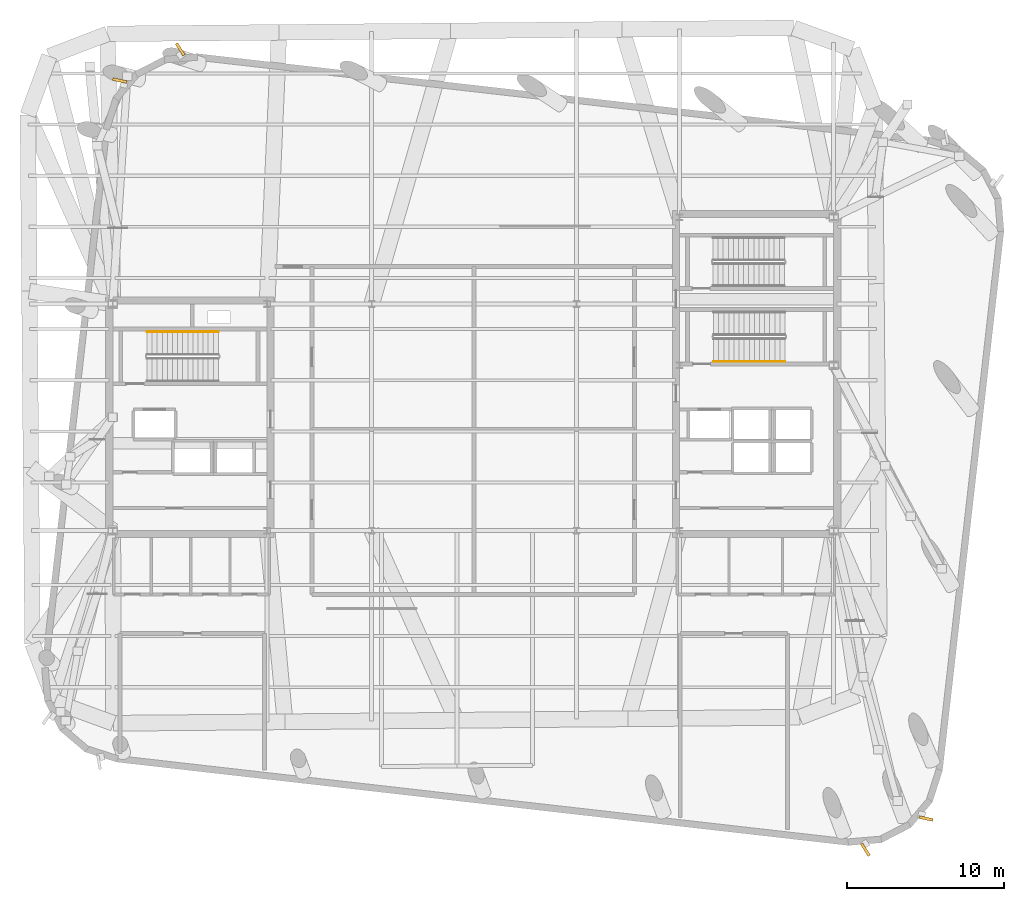
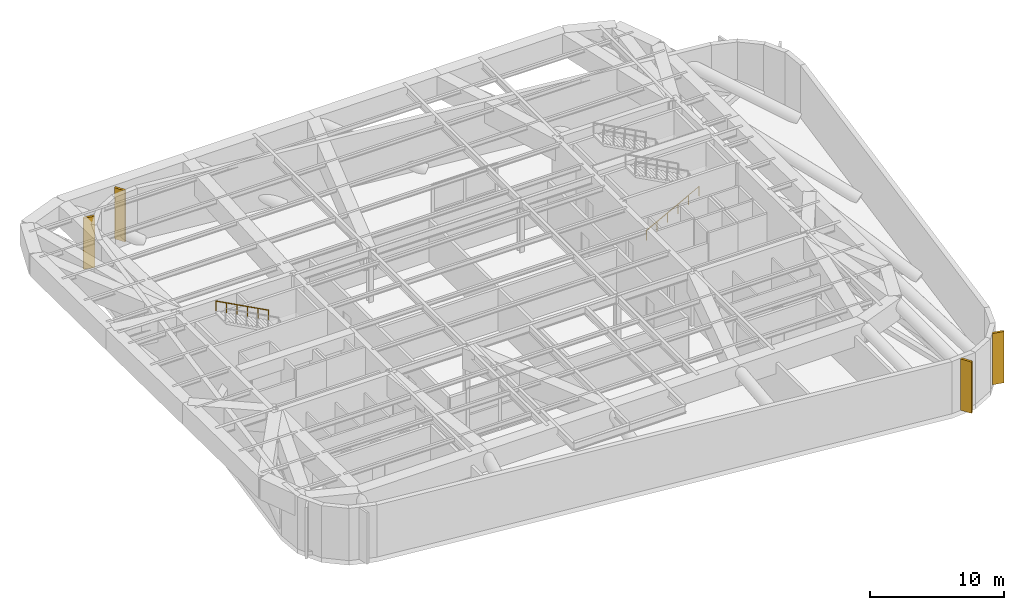
# One storey, part 11 of 12: 4 shading devices, 2 railings.
"""IFC4 building model written with IfcOpenShell, lengths in metres."""

from ifc_helpers import new_model, si_unit, direction, frame, origin, origin_2d, place, context, subcontext, project, spatial, rectangle, circle, extrude, material, type_object, element, save


model = new_model("IFC4")

# Units and contexts
model_context = context("Model", 3, precision=1e-05, world=origin(), true_north=direction((0.0, 1.0)))
body_context = subcontext(model_context, "Body", "Model", "MODEL_VIEW")
ifc_project = project(units=[si_unit("LENGTHUNIT", "METRE"), si_unit("AREAUNIT", "SQUARE_METRE"), si_unit("VOLUMEUNIT", "CUBIC_METRE"), si_unit("PLANEANGLEUNIT", "RADIAN"), si_unit("MASSUNIT", "GRAM", prefix="KILO")], contexts=[model_context])

# Site, building, storey
site_placement = place(None, origin())
site = spatial("IfcSite", under=ifc_project, at=site_placement, CompositionType="ELEMENT")
building_placement = place(site_placement, origin())
building = spatial("IfcBuilding", under=site, at=building_placement, Name="Kolvaren Arena Tower", CompositionType="ELEMENT")
storey_placement = place(building_placement, frame((0.0, 0.0, 269.699951171875)))
storey = spatial("IfcBuildingStorey", under=building, at=storey_placement, Name="L66", CompositionType="ELEMENT", Elevation=269.699951171875)

# Railings
ifc_material_1 = material(Name="Brushed stainless steel handrail", Category="steel")
railing_type = type_object("IfcRailingType", Name="HRAIL-900", PredefinedType="HANDRAIL", material=ifc_material_1)
railing_1_placement = place(storey_placement, frame((21.256103515625, 32.080078125, 2.7734375)))
element("IfcRailing", 1, at=railing_1_placement, inside=storey, type_object=railing_type, Name="L66 ST-W1 stair handrail 2", PredefinedType="HANDRAIL", context=body_context, shape_type="SweptSolid", body=[
    extrude(circle(Radius=0.02392578125, at=origin_2d()), frame((0.0, 0.0, 0.8759765625), z_axis=(-0.881767657903, 0.0, 0.471684001717), x_axis=(0.0, -1.0, 0.0)), (0.0, 0.0, 1.0), 5.144287109375),
    extrude(circle(Radius=0.02099609375, at=origin_2d()), origin(), (0.0, 0.0, 1.0), 0.851806640625),
    extrude(circle(Radius=0.02099609375, at=origin_2d()), frame((-0.9072265625, 0.0, 0.4853515625)), (0.0, 0.0, 1.0), 0.851806640625),
    extrude(circle(Radius=0.02099609375, at=origin_2d()), frame((-1.814453125, 0.0, 0.970703125)), (0.0, 0.0, 1.0), 0.851806640625),
    extrude(circle(Radius=0.02099609375, at=origin_2d()), frame((-2.7216796875, 0.0, 1.455810546875)), (0.0, 0.0, 1.0), 0.851806640625),
    extrude(circle(Radius=0.02099609375, at=origin_2d()), frame((-3.62890625, 0.0, 1.941162109375)), (0.0, 0.0, 1.0), 0.851806640625),
    extrude(circle(Radius=0.02099609375, at=origin_2d()), frame((-4.5361328125, 0.0, 2.426513671875)), (0.0, 0.0, 1.0), 0.851806640625),
])
railing_2_placement = place(storey_placement, frame((52.719970703125, 30.199951171875, 0.17333984375)))
element("IfcRailing", 2, at=railing_2_placement, inside=storey, type_object=railing_type, Name="L66 ST-E1 stair handrail 1", PredefinedType="HANDRAIL", context=body_context, shape_type="SweptSolid", body=[
    extrude(circle(Radius=0.02392578125, at=origin_2d()), frame((0.0, 0.0, 0.8759765625), z_axis=(0.88174791909, 0.0, 0.471720899664), x_axis=(0.0, 1.0, 0.0)), (0.0, 0.0, 1.0), 5.14453125),
    extrude(circle(Radius=0.02099609375, at=origin_2d()), origin(), (0.0, 0.0, 1.0), 0.851806640625),
    extrude(circle(Radius=0.02099609375, at=origin_2d()), frame((0.9072265625, 0.0, 0.4853515625)), (0.0, 0.0, 1.0), 0.851806640625),
    extrude(circle(Radius=0.02099609375, at=origin_2d()), frame((1.814453125, 0.0, 0.970703125)), (0.0, 0.0, 1.0), 0.851806640625),
    extrude(circle(Radius=0.02099609375, at=origin_2d()), frame((2.7216796875, 0.0, 1.4560546875)), (0.0, 0.0, 1.0), 0.851806640625),
    extrude(circle(Radius=0.02099609375, at=origin_2d()), frame((3.62890625, 0.0, 1.94140625)), (0.0, 0.0, 1.0), 0.851806640625),
    extrude(circle(Radius=0.02099609375, at=origin_2d()), frame((4.5361328125, 0.0, 2.4267578125)), (0.0, 0.0, 1.0), 0.851806640625),
])

# Shading devices
ifc_material_2 = material(Name="Precast architectural concrete C50/60 rib fin", Category="concrete")
shading_device_type = type_object("IfcShadingDeviceType", Name="SHAD-FIN-28", PredefinedType="USERDEFINED", material=ifc_material_2)
for number, where, z_axis, x_axis, name in (
    (3, (62.365234375, -0.824951171875, 0.02001953125), (0.0, 0.0, 1.0), (0.540981810797, -0.84103429204, 0.0), "Precast 28-Deg Corner Rib Fin (L66)"),
    (4, (66.2138671875, 1.1572265625, 0.02001953125), (0.0, 0.0, 1.0), (0.977234439221, -0.21216232182, 0.0), "Precast 28-Deg Corner Rib Fin (L66)"),
    (5, (18.834716796875, 50.02490234375, 0.02001953125), (0.0, 0.0, 1.0), (-0.540981810797, 0.84103429204, 0.0), "Precast 28-Deg Corner Rib Fin (L66)"),
    (6, (14.986083984375, 48.042724609375, 0.02001953125), (0.0, 0.0, 1.0), (-0.977234439221, 0.21216232182, 0.0), "Precast 28-Deg Corner Rib Fin (L66)"),
):
    element("IfcShadingDevice", number, at=place(storey_placement, frame(where, z_axis=z_axis, x_axis=x_axis)), inside=storey, type_object=shading_device_type, Name=name, ObjectType="FIN", PredefinedType="USERDEFINED", context=body_context, shape_type="SweptSolid", body=[
        extrude(rectangle(XDim=0.89990234375, YDim=0.179931640625, at=origin_2d()), origin(), (0.0, 0.0, 1.0), 4.669921875),
    ])

save(model, "model.ifc")
